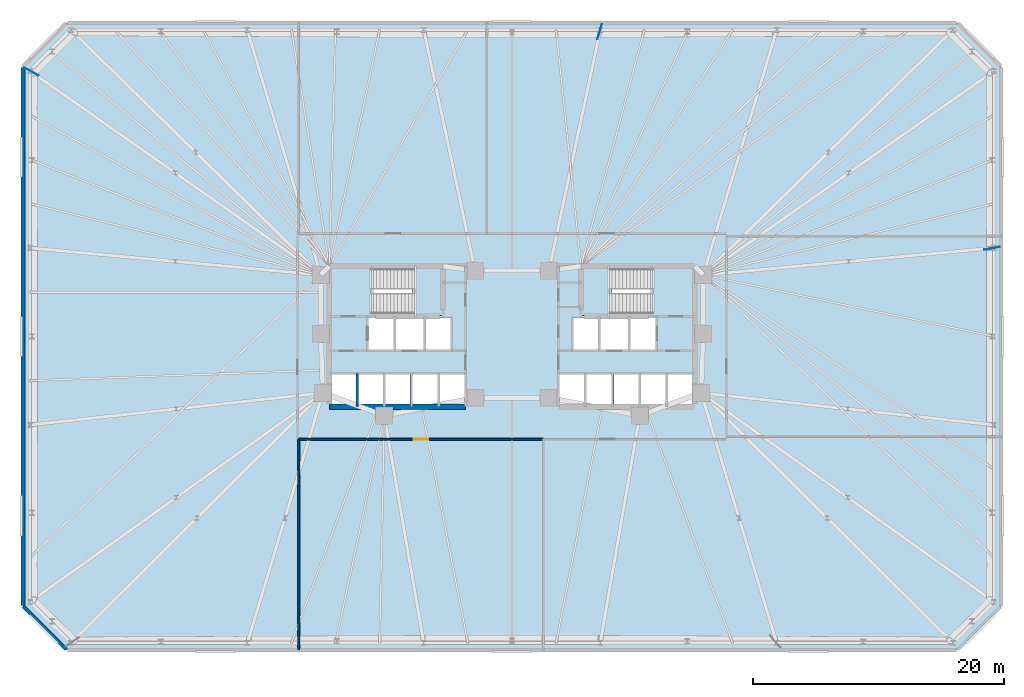
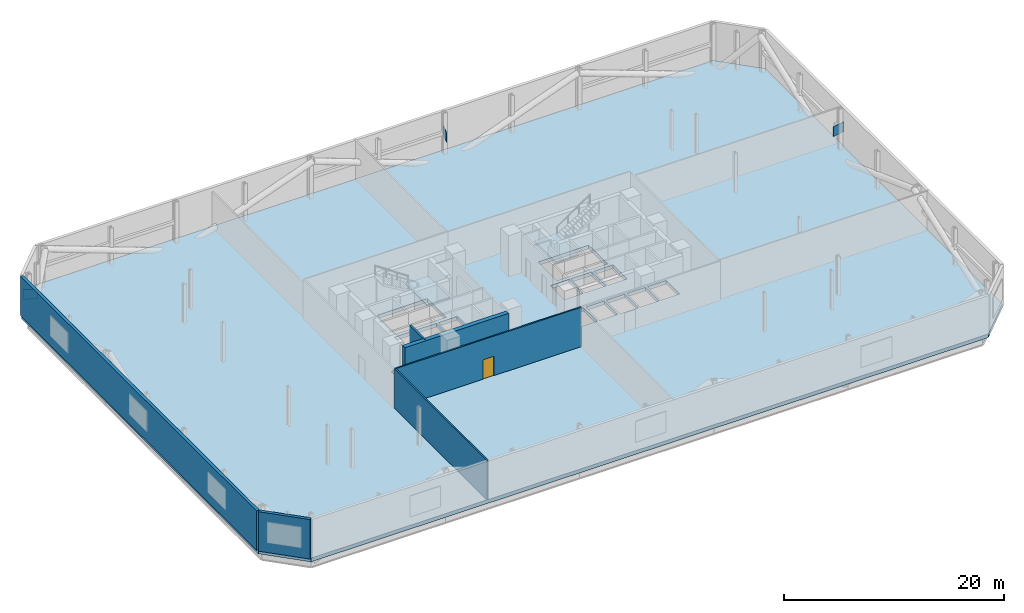
# One storey, part 13 of 17: 6 walls, 3 plates, 3 slabs, 1 door, 1 opening, 2 elements without a shape of their own.
"""IFC4 building model written with IfcOpenShell, lengths in metres."""

import ifcopenshell
import ifcopenshell.guid

model = None  # the IFC model being written
_history = None  # IfcOwnerHistory: only IFC2X3 demands one
_inside = {}  # id of a spatial element -> (the spatial element, [elements in it])
_under = {}  # id of a project, library or spatial element -> (it, [spatial elements below it])
_declared = {}  # id of a project -> (the project, [libraries it declares])
_typed = {}  # id of a type object -> (the type object, [elements of that type])
_made_of = {}  # id of a material, layer set ... -> (it, [elements and type objects made of it])


def new_model(schema):
    """Start an empty IFC model of exactly this schema.

    Asked for "IFC4X3", IfcOpenShell would pick the latest addendum, in which some entities
    have other attributes; the version numbers below select the first issue.
    IFC2X3 requires an IfcOwnerHistory on every rooted entity: one is made here for all.
    """
    global model, _history
    if schema == "IFC4X3":
        model = ifcopenshell.file(schema_version=(4, 3, 0, 0))
    else:
        model = ifcopenshell.file(schema=schema)
    _inside.clear()
    _under.clear()
    _declared.clear()
    _typed.clear()
    _made_of.clear()
    _history = None
    if model.schema == "IFC2X3":
        org = make("IfcOrganization", Name="unknown")
        user = make(
            "IfcPersonAndOrganization",
            ThePerson=make("IfcPerson", FamilyName="unknown"),
            TheOrganization=org,
        )
        app = make(
            "IfcApplication",
            ApplicationDeveloper=org,
            Version="unknown",
            ApplicationFullName="unknown",
            ApplicationIdentifier="unknown",
        )
        _history = make(
            "IfcOwnerHistory",
            OwningUser=user,
            OwningApplication=app,
            ChangeAction="ADDED",
            CreationDate=0,
        )
    return model


def make(cls, **values):
    """One entity of the class cls with the attributes given. An attribute that is None is left unset."""
    return model.create_entity(
        cls, **{name: value for name, value in values.items() if value is not None}
    )


def rooted(cls, **values):
    """An entity with a GlobalId (a new one), such as an element, a storey or a relation."""
    return make(cls, GlobalId=ifcopenshell.guid.new(), OwnerHistory=_history, **values)


def si_unit(unit_type, name, prefix=None):
    """IfcSIUnit, for example si_unit("LENGTHUNIT", "METRE", prefix="MILLI")."""
    return make("IfcSIUnit", UnitType=unit_type, Prefix=prefix, Name=name)


def assignment(units):
    """IfcUnitAssignment: the units of a project."""
    return None if units is None else make("IfcUnitAssignment", Units=units)


def point(xyz):
    """IfcCartesianPoint."""
    return None if xyz is None else make("IfcCartesianPoint", Coordinates=xyz)


def direction(xyz):
    """IfcDirection."""
    return None if xyz is None else make("IfcDirection", DirectionRatios=xyz)


def frame(location, z_axis=None, x_axis=None):
    """IfcAxis2Placement3D, a coordinate frame: its origin and axes. An axis left out is left unset."""
    return make(
        "IfcAxis2Placement3D",
        Location=point(location),
        Axis=direction(z_axis),
        RefDirection=direction(x_axis),
    )


def frame_2d(location, x_axis=None):
    """IfcAxis2Placement2D, a coordinate frame in the plane: its origin and x axis."""
    return make(
        "IfcAxis2Placement2D", Location=point(location), RefDirection=direction(x_axis)
    )


def origin():
    """The frame at (0, 0, 0) with its axes left unset."""
    return frame((0.0, 0.0, 0.0))


def origin_2d():
    """The frame at (0, 0) in the plane with its x axis left unset."""
    return frame_2d((0.0, 0.0))


def place(relative_to, where):
    """IfcLocalPlacement: puts the frame where relative to a parent placement (None: the world)."""
    return make(
        "IfcLocalPlacement", PlacementRelTo=relative_to, RelativePlacement=where
    )


def context(
    kind, dimensions, precision=None, world=None, true_north=None, identifier=None
):
    """IfcGeometricRepresentationContext, for example the 3D "Model" context."""
    return make(
        "IfcGeometricRepresentationContext",
        ContextIdentifier=identifier,
        ContextType=kind,
        CoordinateSpaceDimension=dimensions,
        Precision=precision,
        WorldCoordinateSystem=world,
        TrueNorth=true_north,
    )


def subcontext(parent, identifier, kind, view, scale=None):
    """IfcGeometricRepresentationSubContext, for example "Body" below "Model"."""
    return make(
        "IfcGeometricRepresentationSubContext",
        ContextIdentifier=identifier,
        ContextType=kind,
        ParentContext=parent,
        TargetScale=scale,
        TargetView=view,
    )


def project(units=None, contexts=None):
    """IfcProject with its units and contexts."""
    return rooted(
        "IfcProject",
        Name="project",
        RepresentationContexts=contexts,
        UnitsInContext=assignment(units),
    )


def spatial(cls, under=None, at=None, **own):
    """A site, building, storey or space (cls), placed at a placement, below another one or the project."""
    s = rooted(cls, ObjectPlacement=at, **own)
    if under is not None:
        _under.setdefault(under.id(), (under, []))[1].append(s)
    return s


def polyline(points):
    """IfcPolyline through the points."""
    return make("IfcPolyline", Points=[point(p) for p in points])


def profile(cls, at=None, kind="AREA", **sizes):
    """A parametric profile (cls). Its sizes go by their IFC names, for example OverallWidth=200.0."""
    return make(cls, ProfileType=kind, Position=at, **sizes)


def rectangle(**sizes):
    """IfcRectangleProfileDef."""
    return profile("IfcRectangleProfileDef", **sizes)


def outline(outer, holes=None, kind="AREA"):
    """IfcArbitraryClosedProfileDef: a profile drawn as a closed curve; with holes, ...WithVoids."""
    if holes is None:
        return make("IfcArbitraryClosedProfileDef", ProfileType=kind, OuterCurve=outer)
    return make(
        "IfcArbitraryProfileDefWithVoids",
        ProfileType=kind,
        OuterCurve=outer,
        InnerCurves=holes,
    )


def extrude(swept, where, along, depth):
    """IfcExtrudedAreaSolid: the profile swept, set in the frame where, extruded along a direction by depth."""
    return make(
        "IfcExtrudedAreaSolid",
        SweptArea=swept,
        Position=where,
        ExtrudedDirection=direction(along),
        Depth=depth,
    )


def shape(context_of_items, identifier, shape_type, items):
    """IfcShapeRepresentation: the items that make up one representation, for example the "Body"."""
    return make(
        "IfcShapeRepresentation",
        ContextOfItems=context_of_items,
        RepresentationIdentifier=identifier,
        RepresentationType=shape_type,
        Items=items,
    )


def material(Name=None, Category=None):
    """IfcMaterial."""
    return make("IfcMaterial", Name=Name, Category=Category)


def layer(
    of_material, thickness, ventilated=None, Name=None, Category=None, Priority=None
):
    """IfcMaterialLayer: one layer of a wall or slab, of a material (None: an air gap)."""
    return make(
        "IfcMaterialLayer",
        Material=of_material,
        LayerThickness=thickness,
        IsVentilated=ventilated,
        Name=Name,
        Category=Category,
        Priority=Priority,
    )


def layer_set(layers, Name=None):
    """IfcMaterialLayerSet."""
    return make("IfcMaterialLayerSet", MaterialLayers=layers, LayerSetName=Name)


def made_of(thing, what):
    """Note that an element or type object is made of a material, layer set ...; save() writes the relation."""
    if what is not None:
        _made_of.setdefault(what.id(), (what, []))[1].append(thing)
    return thing


def type_object(cls, material=None, **own):
    """A type object (cls), such as IfcWallType, which elements share."""
    return made_of(rooted(cls, **own), material)


def element(
    cls,
    number,
    at=None,
    inside=None,
    cuts=None,
    type_object=None,
    material=None,
    context=None,
    identifier="Body",
    shape_type=None,
    held_by="IfcProductDefinitionShape",
    body=None,
    shapes=None,
    **own,
):
    """One element of the class cls, such as IfcWall. Its Tag is "e" and its number.

    at: its placement. inside: the storey or other place that contains it. cuts: it is an
    opening in that element (IfcRelVoidsElement). A single representation is given by context,
    identifier, shape_type and body (its items); several are given by shapes. held_by: the class
    of the entity that holds the representations. save() writes the other relations.
    """
    e = rooted(cls, Tag="e%d" % number, ObjectPlacement=at, **own)
    if body is not None:
        shapes = [shape(context, identifier, shape_type, body)]
    if shapes is not None:
        e.Representation = make(held_by, Representations=shapes)
    if inside is not None:
        _inside.setdefault(inside.id(), (inside, []))[1].append(e)
    if cuts is not None:
        rooted(
            "IfcRelVoidsElement", RelatingBuildingElement=cuts, RelatedOpeningElement=e
        )
    if type_object is not None:
        _typed.setdefault(type_object.id(), (type_object, []))[1].append(e)
    return made_of(e, material)


def fill(opening, filler):
    """IfcRelFillsElement: the door or window that sits in an opening."""
    return rooted(
        "IfcRelFillsElement",
        RelatingOpeningElement=opening,
        RelatedBuildingElement=filler,
    )


def aggregate(whole, parts):
    """IfcRelAggregates: a whole, such as a stair, and the parts it consists of."""
    return rooted("IfcRelAggregates", RelatingObject=whole, RelatedObjects=parts)


def save(model, path):
    """Write the relations noted so far, then the file.

    IfcRelAggregates (storeys below a building ...), IfcRelContainedInSpatialStructure (elements
    in a storey), IfcRelDefinesByType, IfcRelAssociatesMaterial and IfcRelDeclares: one each for
    every whole, place, type object, material and project.
    """
    for whole, parts in _under.values():
        aggregate(whole, parts)
    for where, things in _inside.values():
        rooted(
            "IfcRelContainedInSpatialStructure",
            RelatedElements=things,
            RelatingStructure=where,
        )
    for kind, things in _typed.values():
        rooted("IfcRelDefinesByType", RelatedObjects=things, RelatingType=kind)
    for what, things in _made_of.values():
        rooted("IfcRelAssociatesMaterial", RelatedObjects=things, RelatingMaterial=what)
    for by, libraries in _declared.values():
        rooted("IfcRelDeclares", RelatingContext=by, RelatedDefinitions=libraries)
    model.write(path)


model = new_model("IFC4")

# Units and contexts
model_context = context("Model", 3, precision=1e-05, world=origin(), true_north=direction((0.0, 1.0)))
body_context = subcontext(model_context, "Body", "Model", "MODEL_VIEW")
ifc_project = project(units=[si_unit("LENGTHUNIT", "METRE"), si_unit("AREAUNIT", "SQUARE_METRE"), si_unit("VOLUMEUNIT", "CUBIC_METRE"), si_unit("PLANEANGLEUNIT", "RADIAN"), si_unit("MASSUNIT", "GRAM", prefix="KILO")], contexts=[model_context])

# Site, building, storey
site_placement = place(None, origin())
site = spatial("IfcSite", under=ifc_project, at=site_placement, CompositionType="ELEMENT")
building_placement = place(site_placement, origin())
building = spatial("IfcBuilding", under=site, at=building_placement, Name="Menara Jurai Vektor", CompositionType="ELEMENT")
storey_placement = place(building_placement, frame((0.0, 0.0, 9.60009765625)))
storey = spatial("IfcBuildingStorey", under=building, at=storey_placement, Name="L01", CompositionType="ELEMENT", Elevation=9.60009765625)

# Stair, slab
ifc_material_1 = material(Name="Concrete C40/50", Category="concrete")
stair_type = type_object("IfcStairType", Name="STAIR-DOGLEG-1500", PredefinedType="HALF_TURN_STAIR", material=ifc_material_1)
stair_1_placement = place(storey_placement, origin())
stair_1 = element("IfcStair", 1, at=stair_1_placement, inside=storey, type_object=stair_type, Name="Protected Exit Stair ST1 L01", PredefinedType="HALF_TURN_STAIR")
ifc_layer_1 = layer(ifc_material_1, 0.199951171875)
ifc_layer_set_1 = layer_set([ifc_layer_1], Name="Concrete C40/50")
slab_type_1 = type_object("IfcSlabType", Name="STAIR-LANDING-200", PredefinedType="LANDING", material=ifc_layer_set_1)
slab_1_placement = place(storey_placement, frame((0.0, 0.0, 2.099853515625)))
slab_1 = element("IfcSlab", 2, at=slab_1_placement, type_object=slab_type_1, Name="ST1 landing 1", PredefinedType="LANDING", context=body_context, shape_type="SweptSolid", body=[
    extrude(outline(polyline([(-7.9599609375, 1.64990234375), (-5.550048828125, 1.64990234375), (-5.550048828125, 5.550048828125), (-7.9599609375, 5.550048828125), (-7.9599609375, 1.64990234375)])), origin(), (0.0, 0.0, 1.0), 0.199951171875),
])
aggregate(stair_1, [slab_1])

stair_2_placement = place(storey_placement, origin())
stair_2 = element("IfcStair", 3, at=stair_2_placement, inside=storey, type_object=stair_type, Name="Protected Exit Stair ST2 L01", PredefinedType="HALF_TURN_STAIR")
slab_2_placement = place(storey_placement, frame((0.0, 0.0, 2.099853515625)))
slab_2 = element("IfcSlab", 4, at=slab_2_placement, type_object=slab_type_1, Name="ST2 landing 1", PredefinedType="LANDING", context=body_context, shape_type="SweptSolid", body=[
    extrude(outline(polyline([(5.550048828125, 1.64990234375), (7.9599609375, 1.64990234375), (7.9599609375, 5.550048828125), (5.550048828125, 5.550048828125), (5.550048828125, 1.64990234375)])), origin(), (0.0, 0.0, 1.0), 0.199951171875),
])
aggregate(stair_2, [slab_2])

# Plates
ifc_material_2 = material(Name="Steel S460", Category="steel")
ifc_layer_2 = layer(ifc_material_2, 0.0400390625)
ifc_layer_set_2 = layer_set([ifc_layer_2], Name="Steel S460")
plate_type = type_object("IfcPlateType", Name="STR-PLT-GUSSET40", PredefinedType="SHEET", material=ifc_layer_set_2)
for number, where, z_axis, x_axis, name in (
    (5, (38.28271484375, 7.028564453125, 1.749755859375), (0.0, 0.0, 1.0), (-0.983571470813, -0.180519145251, 0.0), "Transfer Truss Gusset Plate L01-09"),
    (6, (6.988525390625, 24.28662109375, 1.749755859375), (0.0, 0.0, 1.0), (-0.276643835392, -0.960972522156, 0.0), "Transfer Truss Gusset Plate L01-13"),
    (7, (-38.301025390625, 21.095703125, 1.749755859375), (0.0, 0.0, 1.0), (0.875970139009, -0.482365334125, 0.0), "Transfer Truss Gusset Plate L01-17"),
):
    element("IfcPlate", number, at=place(storey_placement, frame(where, z_axis=z_axis, x_axis=x_axis)), inside=storey, type_object=plate_type, Name=name, PredefinedType="SHEET", context=body_context, shape_type="SweptSolid", body=[
        extrude(rectangle(XDim=1.25, YDim=0.0400390625, at=origin_2d()), origin(), (0.0, 0.0, 1.0), 1.10009765625),
    ])

# Slab
ifc_material_3 = material(Name="Concrete C50/60", Category="concrete")
ifc_layer_3 = layer(ifc_material_3, 0.405029296875)
ifc_layer_set_3 = layer_set([ifc_layer_3], Name="Concrete C50/60")
slab_type_2 = type_object("IfcSlabType", Name="STR-SLAB-TR405", PredefinedType="FLOOR", material=ifc_layer_set_3)
slab_3_placement = place(storey_placement, frame((0.0, 0.0, -0.405029296875)))
element("IfcSlab", 8, at=slab_3_placement, inside=storey, type_object=slab_type_2, Name="Composite Floor Slab L01", PredefinedType="FLOOR", context=body_context, shape_type="SweptSolid", body=[
    extrude(outline(polyline([(-35.5, -25.0), (35.5, -25.0), (39.0, -21.5), (39.0, 21.5), (35.5, 25.0), (-35.5, 25.0), (-39.0, 21.5), (-39.0, -21.5), (-35.5, -25.0)]), holes=[polyline([(-11.10009765625, 1.89990234375), (-11.10009765625, 5.300048828125), (-5.800048828125, 5.300048828125), (-5.800048828125, 1.89990234375), (-11.10009765625, 1.89990234375)]), polyline([(5.800048828125, 1.89990234375), (5.800048828125, 5.300048828125), (11.10009765625, 5.300048828125), (11.10009765625, 1.89990234375), (5.800048828125, 1.89990234375)]), polyline([(-11.449951171875, -1.050048828125), (-11.449951171875, 1.5), (-9.449951171875, 1.5), (-9.449951171875, -1.050048828125), (-11.449951171875, -1.050048828125)]), polyline([(9.449951171875, -1.050048828125), (9.449951171875, 1.5), (11.449951171875, 1.5), (11.449951171875, -1.050048828125), (9.449951171875, -1.050048828125)]), polyline([(-5.760009765625, -5.5), (-5.760009765625, -3.050048828125), (-3.800048828125, -3.050048828125), (-3.800048828125, -5.5), (-5.760009765625, -5.5)]), polyline([(-6.85009765625, -1.050048828125), (-6.85009765625, 1.5), (-4.889892578125, 1.5), (-4.889892578125, -1.050048828125), (-6.85009765625, -1.050048828125)]), polyline([(3.800048828125, -5.5), (3.800048828125, -3.050048828125), (5.760009765625, -3.050048828125), (5.760009765625, -5.5), (3.800048828125, -5.5)]), polyline([(4.889892578125, -1.050048828125), (4.889892578125, 1.5), (6.85009765625, 1.5), (6.85009765625, -1.050048828125), (4.889892578125, -1.050048828125)]), polyline([(-14.39990234375, -5.5), (-14.39990234375, -3.050048828125), (-12.43994140625, -3.050048828125), (-12.43994140625, -5.5), (-14.39990234375, -5.5)]), polyline([(-12.239990234375, -5.5), (-12.239990234375, -3.050048828125), (-10.280029296875, -3.050048828125), (-10.280029296875, -5.5), (-12.239990234375, -5.5)]), polyline([(10.280029296875, -5.5), (10.280029296875, -3.050048828125), (12.239990234375, -3.050048828125), (12.239990234375, -5.5), (10.280029296875, -5.5)]), polyline([(12.43994140625, -5.5), (12.43994140625, -3.050048828125), (14.39990234375, -3.050048828125), (14.39990234375, -5.5), (12.43994140625, -5.5)]), polyline([(-10.080078125, -5.5), (-10.080078125, -3.050048828125), (-8.1201171875, -3.050048828125), (-8.1201171875, -5.5), (-10.080078125, -5.5)]), polyline([(-7.919921875, -5.5), (-7.919921875, -3.050048828125), (-5.9599609375, -3.050048828125), (-5.9599609375, -5.5), (-7.919921875, -5.5)]), polyline([(5.9599609375, -5.5), (5.9599609375, -3.050048828125), (7.919921875, -3.050048828125), (7.919921875, -5.5), (5.9599609375, -5.5)]), polyline([(8.1201171875, -5.5), (8.1201171875, -3.050048828125), (10.080078125, -3.050048828125), (10.080078125, -5.5), (8.1201171875, -5.5)]), polyline([(-9.25, -1.050048828125), (-9.25, 1.5), (-7.050048828125, 1.5), (-7.050048828125, -1.050048828125), (-9.25, -1.050048828125)]), polyline([(7.050048828125, -1.050048828125), (7.050048828125, 1.5), (9.25, 1.5), (9.25, -1.050048828125), (7.050048828125, -1.050048828125)])]), origin(), (0.0, 0.0, 1.0), 0.405029296875),
])

# Walls
ifc_material_4 = material(Name="Insulated Pale Aluminium Spandrel Wall", Category="aluminium")
ifc_layer_4 = layer(ifc_material_4, 0.300048828125)
ifc_layer_set_4 = layer_set([ifc_layer_4], Name="Insulated Pale Aluminium Spandrel Wall")
wall_type_1 = type_object("IfcWallType", Name="ENV-WALL-EXT300", PredefinedType="STANDARD", material=ifc_layer_set_4)
wall_1_placement = place(storey_placement, frame((-39.0, 21.455078125, 0.0), z_axis=(0.0, 0.0, 1.0), x_axis=(0.0, -1.0, 0.0)))
element("IfcWall", 9, at=wall_1_placement, inside=storey, type_object=wall_type_1, Name="Plant Floor Enclosure Wall L01-07", PredefinedType="STANDARD", context=body_context, shape_type="SweptSolid", body=[
    extrude(rectangle(XDim=42.91015625, YDim=0.300048828125, at=frame_2d((21.455078125, 0.0))), origin(), (0.0, 0.0, 1.0), 4.375),
])
wall_2_placement = place(storey_placement, frame((-38.96826171875, -21.53173828125, 0.0), z_axis=(0.0, 0.0, 1.0), x_axis=(0.707106781187, -0.707106781187, 0.0)))
element("IfcWall", 10, at=wall_2_placement, inside=storey, type_object=wall_type_1, Name="Plant Floor Enclosure Wall L01-08", PredefinedType="STANDARD", context=body_context, shape_type="SweptSolid", body=[
    extrude(rectangle(XDim=4.85986328125, YDim=0.300048828125, at=frame_2d((2.429931640625, 0.0))), origin(), (0.0, 0.0, 1.0), 4.375),
])

# Wall, opening, door
ifc_material_5 = material(Name="Gypsum Fireboard Partition", Category="gypsum")
ifc_layer_5 = layer(ifc_material_5, 0.14990234375)
ifc_layer_set_5 = layer_set([ifc_layer_5], Name="Gypsum Fireboard Partition")
wall_type_2 = type_object("IfcWallType", Name="INT-WALL-CORR-150", PredefinedType="PARTITIONING", material=ifc_layer_set_5)
wall_3_placement = place(storey_placement, frame((-17.0, -8.199951171875, 0.0), z_axis=(0.0, 0.0, 1.0), x_axis=(1.0, 0.0, 0.0)))
wall_3 = element("IfcWall", 11, at=wall_3_placement, inside=storey, type_object=wall_type_2, Name="Interior Wall IW-150 L01", PredefinedType="PARTITIONING", context=body_context, shape_type="SweptSolid", body=[
    extrude(rectangle(XDim=19.5, YDim=0.14990234375, at=frame_2d((9.75, 0.0))), origin(), (0.0, 0.0, 1.0), 4.375),
])
opening_placement = place(wall_3_placement, frame((9.175048828125, 0.0, 0.0)))
opening = element("IfcOpeningElement", 12, at=opening_placement, cuts=wall_3, Name="Opening D01-06", PredefinedType="OPENING", context=body_context, shape_type="SweptSolid", body=[
    extrude(rectangle(XDim=1.14990234375, YDim=2.14990234375, at=frame_2d((0.574951171875, 1.074951171875))), frame((0.0, 0.0849609375, 0.0), z_axis=(0.0, -1.0, 0.0), x_axis=(1.0, 0.0, 0.0)), (0.0, 0.0, 1.0), 0.169921875),
])
ifc_material_6 = material(Name="Fire-Rated Steel Plant Door", Category="steel")
door_type = type_object("IfcDoorType", Name="DR-PLANT-1150", OperationType="NOTDEFINED", PredefinedType="DOOR", material=ifc_material_6)
door_placement = place(opening_placement, origin())
door = element("IfcDoor", 13, at=door_placement, inside=storey, type_object=door_type, Name="Interior Door D01-06", OperationType="SINGLE_SWING_LEFT", OverallHeight=2.14990234375, OverallWidth=1.14990234375, PredefinedType="DOOR", context=body_context, shape_type="SweptSolid", body=[
    extrude(rectangle(XDim=1.14990234375, YDim=2.14990234375, at=frame_2d((0.574951171875, 1.074951171875))), frame((0.0, 0.02490234375, 0.0), z_axis=(0.0, -1.0, 0.0), x_axis=(1.0, 0.0, 0.0)), (0.0, 0.0, 1.0), 0.050048828125),
])
fill(opening, door)

# Walls
wall_4_placement = place(storey_placement, frame((-17.0, -25.0, 0.0), z_axis=(0.0, 0.0, 1.0), x_axis=(0.0, 1.0, 0.0)))
element("IfcWall", 14, at=wall_4_placement, inside=storey, type_object=wall_type_2, Name="Interior Wall IW-150 L01", PredefinedType="PARTITIONING", context=body_context, shape_type="SweptSolid", body=[
    extrude(rectangle(XDim=16.800048828125, YDim=0.14990234375, at=frame_2d((8.39990234375, 0.0))), origin(), (0.0, 0.0, 1.0), 4.375),
])
ifc_layer_6 = layer(ifc_material_1, 0.199951171875)
ifc_layer_set_6 = layer_set([ifc_layer_6], Name="Concrete C40/50")
wall_type_3 = type_object("IfcWallType", Name="INT-WALL-SHAFT-200", PredefinedType="STANDARD", material=ifc_layer_set_6)
wall_5_placement = place(storey_placement, frame((-12.340087890625, -5.60009765625, 0.0), z_axis=(0.0, 0.0, 1.0), x_axis=(0.0, 1.0, 0.0)))
element("IfcWall", 15, at=wall_5_placement, inside=storey, type_object=wall_type_3, Name="Interior Wall IW-200 L01", PredefinedType="STANDARD", context=body_context, shape_type="SweptSolid", body=[
    extrude(rectangle(XDim=2.650146484375, YDim=0.179931640625, at=frame_2d((1.3251953125, 0.0))), origin(), (0.0, 0.0, 1.0), 4.375),
])
ifc_material_7 = material(Name="Concrete C60/75", Category="concrete")
ifc_layer_7 = layer(ifc_material_7, 0.449951171875)
ifc_layer_set_7 = layer_set([ifc_layer_7], Name="Concrete C60/75")
wall_type_4 = type_object("IfcWallType", Name="STR-WALL-CORE450", PredefinedType="SHEAR", material=ifc_layer_set_7)
wall_6_placement = place(storey_placement, frame((-14.56005859375, -5.60009765625, 0.0), z_axis=(0.0, 0.0, 1.0), x_axis=(1.0, 0.0, 0.0)))
element("IfcWall", 16, at=wall_6_placement, inside=storey, type_object=wall_type_4, Name="Core Shear Wall CW-W-S L01", PredefinedType="SHEAR", context=body_context, shape_type="SweptSolid", body=[
    extrude(rectangle(XDim=10.860107421875, YDim=0.449951171875, at=frame_2d((5.43017578125, 0.0))), origin(), (0.0, 0.0, 1.0), 4.375),
])

save(model, "model.ifc")
